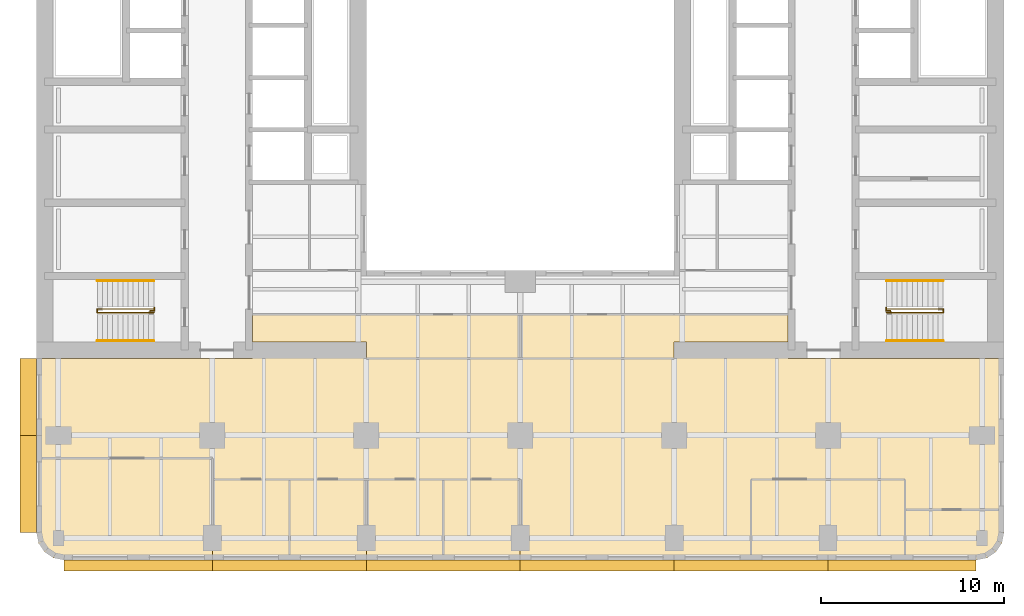
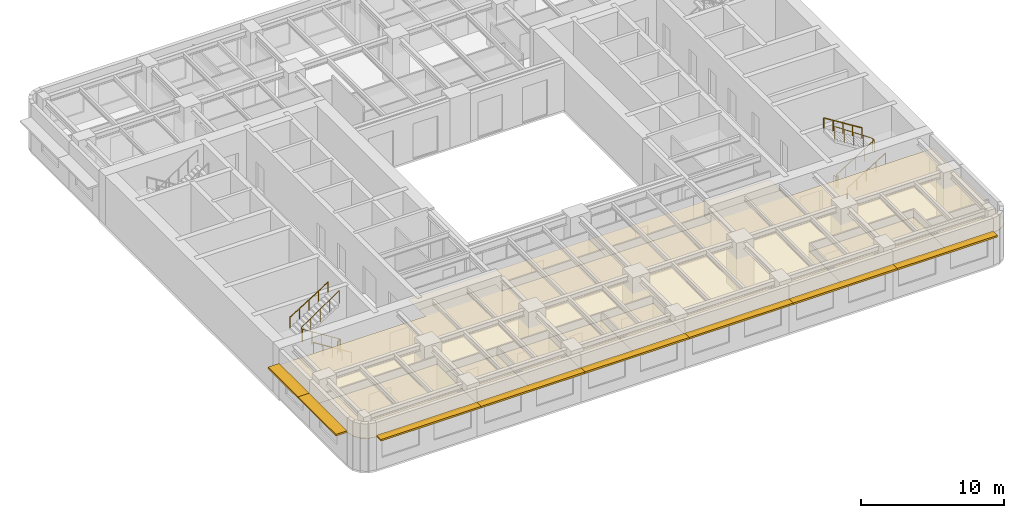
# One storey, part 9 of 11: 10 coverings, 8 railings, 8 shading devices.
"""IFC4 building model written with IfcOpenShell, lengths in metres."""

from ifc_helpers import new_model, si_unit, direction, frame, origin, origin_2d, place, context, subcontext, project, spatial, polyline, rectangle, circle, outline, extrude, material, layer, layer_set, type_object, element, save


model = new_model("IFC4")

# Units and contexts
model_context = context("Model", 3, precision=1e-05, world=origin(), true_north=direction((0.0, 1.0)))
body_context = subcontext(model_context, "Body", "Model", "MODEL_VIEW")
ifc_project = project(units=[si_unit("LENGTHUNIT", "METRE"), si_unit("AREAUNIT", "SQUARE_METRE"), si_unit("VOLUMEUNIT", "CUBIC_METRE"), si_unit("PLANEANGLEUNIT", "RADIAN"), si_unit("MASSUNIT", "GRAM", prefix="KILO")], contexts=[model_context])

# Site, building, storey
site_placement = place(None, origin())
site = spatial("IfcSite", under=ifc_project, at=site_placement, CompositionType="ELEMENT")
building_placement = place(site_placement, origin())
building = spatial("IfcBuilding", under=site, at=building_placement, Name="Claustro Exchange Tower", CompositionType="ELEMENT")
storey_placement = place(building_placement, frame((0.0, 0.0, 117.60009765625)))
storey = spatial("IfcBuildingStorey", under=building, at=storey_placement, Name="L26", CompositionType="ELEMENT", Elevation=117.60009765625)

# Coverings
ifc_material_1 = material(Name="Perforated metal ceiling tiles", Category="steel")
ifc_layer_1 = layer(ifc_material_1, 0.030029296875)
ifc_layer_set_1 = layer_set([ifc_layer_1], Name="Perforated metal ceiling tiles")
covering_type_1 = type_object("IfcCoveringType", Name="CL1 suspended metal ceiling", PredefinedType="CEILING", material=ifc_layer_set_1)
covering_1_placement = place(storey_placement, frame((0.0, 0.0, 2.7998046875)))
element("IfcCovering", 1, at=covering_1_placement, inside=storey, type_object=covering_type_1, Name="Ceiling CL1 L26-08", PredefinedType="CEILING", context=body_context, shape_type="SweptSolid", body=[
    extrude(outline(polyline([(10.60009765625, 12.60009765625), (-1.199951171875, 12.60009765625), (-1.199951171875, 7.14990234375), (8.39990234375, 7.14990234375), (8.39990234375, 6.0), (12.60009765625, 6.0), (16.800048828125, 6.0), (21.0, 6.0), (25.199951171875, 6.0), (25.199951171875, 1.60009765625), (37.800048828125, 1.60009765625), (37.800048828125, 6.0), (46.199951171875, 6.0), (46.199951171875, 4.35009765625), (51.60009765625, 4.35009765625), (51.60009765625, 12.60009765625), (39.800048828125, 12.60009765625), (39.800048828125, 13.5), (33.60009765625, 13.5), (33.60009765625, 12.60009765625), (25.199951171875, 12.60009765625), (16.800048828125, 12.60009765625), (16.800048828125, 13.5), (10.60009765625, 13.5), (10.60009765625, 12.60009765625)])), origin(), (0.0, 0.0, 1.0), 0.030029296875),
])
ifc_material_2 = material(Name="Gypsum board ceiling", Category="gypsum board")
ifc_layer_2 = layer(ifc_material_2, 0.02490234375)
ifc_layer_set_2 = layer_set([ifc_layer_2], Name="Gypsum board ceiling")
covering_type_2 = type_object("IfcCoveringType", Name="CL2 plasterboard ceiling", PredefinedType="CEILING", material=ifc_layer_set_2)
covering_2_placement = place(storey_placement, frame((0.0, 0.0, 2.7998046875)))
element("IfcCovering", 2, at=covering_2_placement, inside=storey, type_object=covering_type_2, Name="Ceiling CL2 L26-01", PredefinedType="CEILING", context=body_context, shape_type="SweptSolid", body=[
    extrude(outline(polyline([(51.60009765625, 3.10009765625), (51.60009765625, 4.35009765625), (46.199951171875, 4.35009765625), (46.199951171875, 1.60009765625), (50.10009765625, 1.60009765625), (50.674072265625, 1.714111328125), (51.16064453125, 2.039306640625), (51.48583984375, 2.52587890625), (51.60009765625, 3.10009765625)])), origin(), (0.0, 0.0, 1.0), 0.025146484375),
])
covering_3_placement = place(storey_placement, frame((0.0, 0.0, 2.7998046875)))
element("IfcCovering", 3, at=covering_3_placement, inside=storey, type_object=covering_type_2, Name="Ceiling CL2 L26-02", PredefinedType="CEILING", context=body_context, shape_type="SweptSolid", body=[
    extrude(outline(polyline([(8.39990234375, 1.60009765625), (12.60009765625, 1.60009765625), (12.60009765625, 6.0), (8.39990234375, 6.0), (8.39990234375, 1.60009765625)])), origin(), (0.0, 0.0, 1.0), 0.025146484375),
])
covering_4_placement = place(storey_placement, frame((0.0, 0.0, 2.7998046875)))
element("IfcCovering", 4, at=covering_4_placement, inside=storey, type_object=covering_type_2, Name="Ceiling CL2 L26-03", PredefinedType="CEILING", context=body_context, shape_type="SweptSolid", body=[
    extrude(outline(polyline([(12.60009765625, 1.60009765625), (16.800048828125, 1.60009765625), (16.800048828125, 6.0), (12.60009765625, 6.0), (12.60009765625, 1.60009765625)])), origin(), (0.0, 0.0, 1.0), 0.025146484375),
])
covering_5_placement = place(storey_placement, frame((0.0, 0.0, 2.7998046875)))
element("IfcCovering", 5, at=covering_5_placement, inside=storey, type_object=covering_type_2, Name="Ceiling CL2 L26-04", PredefinedType="CEILING", context=body_context, shape_type="SweptSolid", body=[
    extrude(outline(polyline([(16.800048828125, 1.60009765625), (21.0, 1.60009765625), (21.0, 6.0), (16.800048828125, 6.0), (16.800048828125, 1.60009765625)])), origin(), (0.0, 0.0, 1.0), 0.025146484375),
])
covering_6_placement = place(storey_placement, frame((0.0, 0.0, 2.7998046875)))
element("IfcCovering", 6, at=covering_6_placement, inside=storey, type_object=covering_type_2, Name="Ceiling CL2 L26-05", PredefinedType="CEILING", context=body_context, shape_type="SweptSolid", body=[
    extrude(outline(polyline([(21.0, 1.60009765625), (25.199951171875, 1.60009765625), (25.199951171875, 6.0), (21.0, 6.0), (21.0, 1.60009765625)])), origin(), (0.0, 0.0, 1.0), 0.025146484375),
])
covering_7_placement = place(storey_placement, frame((0.0, 0.0, 2.7998046875)))
element("IfcCovering", 7, at=covering_7_placement, inside=storey, type_object=covering_type_2, Name="Ceiling CL2 L26-06", PredefinedType="CEILING", context=body_context, shape_type="SweptSolid", body=[
    extrude(outline(polyline([(37.800048828125, 1.60009765625), (46.199951171875, 1.60009765625), (46.199951171875, 6.0), (37.800048828125, 6.0), (37.800048828125, 1.60009765625)])), origin(), (0.0, 0.0, 1.0), 0.025146484375),
])
covering_8_placement = place(storey_placement, frame((0.0, 0.0, 2.7998046875)))
element("IfcCovering", 8, at=covering_8_placement, inside=storey, type_object=covering_type_2, Name="Ceiling CL2 L26-07", PredefinedType="CEILING", context=body_context, shape_type="SweptSolid", body=[
    extrude(outline(polyline([(-1.085693359375, 2.52587890625), (-0.7607421875, 2.039306640625), (-0.27392578125, 1.714111328125), (0.300048828125, 1.60009765625), (8.39990234375, 1.60009765625), (8.39990234375, 7.14990234375), (-1.199951171875, 7.14990234375), (-1.199951171875, 3.10009765625), (-1.085693359375, 2.52587890625)])), origin(), (0.0, 0.0, 1.0), 0.025146484375),
])
covering_9_placement = place(storey_placement, frame((0.0, 0.0, 2.7998046875)))
element("IfcCovering", 9, at=covering_9_placement, inside=storey, type_object=covering_type_2, Name="Ceiling CL2 L26-09", PredefinedType="CEILING", context=body_context, shape_type="SweptSolid", body=[
    extrude(outline(polyline([(10.60009765625, 15.0), (10.60009765625, 13.5), (16.800048828125, 13.5), (16.800048828125, 12.60009765625), (25.199951171875, 12.60009765625), (25.199951171875, 15.0), (16.800048828125, 15.0), (16.800048828125, 15.0), (10.60009765625, 15.0)])), origin(), (0.0, 0.0, 1.0), 0.025146484375),
])
covering_10_placement = place(storey_placement, frame((0.0, 0.0, 2.7998046875)))
element("IfcCovering", 10, at=covering_10_placement, inside=storey, type_object=covering_type_2, Name="Ceiling CL2 L26-10", PredefinedType="CEILING", context=body_context, shape_type="SweptSolid", body=[
    extrude(outline(polyline([(39.800048828125, 13.5), (39.800048828125, 15.0), (33.60009765625, 15.0), (33.60009765625, 15.0), (25.199951171875, 15.0), (25.199951171875, 12.60009765625), (33.60009765625, 12.60009765625), (33.60009765625, 13.5), (39.800048828125, 13.5)])), origin(), (0.0, 0.0, 1.0), 0.025146484375),
])

# Railings
ifc_material_3 = material(Name="Steel balustrade, painted", Category="steel")
railing_type_1 = type_object("IfcRailingType", Name="GR2 1100 steel stair guard", PredefinedType="GUARDRAIL", material=ifc_material_3)
railing_1_placement = place(storey_placement, frame((5.199951171875, 15.10009765625, 0.1748046875)))
element("IfcRailing", 11, at=railing_1_placement, inside=storey, type_object=railing_type_1, Name="Stair well guard GR2 stair STWA L26", PredefinedType="GUARDRAIL", context=body_context, shape_type="SweptSolid", body=[
    extrude(circle(Radius=0.02392578125, at=origin_2d()), frame((0.0, 0.0, 1.076171875), z_axis=(-0.847979421464, 0.0, 0.530029150871), x_axis=(0.0, -1.0, 0.0)), (0.0, 0.0, 1.0), 3.632080078125),
    extrude(circle(Radius=0.02392578125, at=origin_2d()), frame((-3.079833984375, 0.0, 3.0009765625), z_axis=(0.0, 1.0, 0.0), x_axis=(-1.0, 0.0, 0.0)), (0.0, 0.0, 1.0), 0.199951171875),
    extrude(circle(Radius=0.02392578125, at=origin_2d()), frame((-3.079833984375, 0.199951171875, 3.0009765625), z_axis=(0.826201015165, 0.0, 0.563375436579), x_axis=(0.0, 1.0, 0.0)), (0.0, 0.0, 1.0), 3.727783203125),
    extrude(circle(Radius=0.02099609375, at=origin_2d()), origin(), (0.0, 0.0, 1.0), 1.052001953125),
    extrude(circle(Radius=0.02099609375, at=origin_2d()), frame((-0.77001953125, 0.0, 0.481201171875)), (0.0, 0.0, 1.0), 1.052001953125),
    extrude(circle(Radius=0.02099609375, at=origin_2d()), frame((-1.5400390625, 0.0, 0.96240234375)), (0.0, 0.0, 1.0), 1.052001953125),
    extrude(circle(Radius=0.02099609375, at=origin_2d()), frame((-2.309814453125, 0.0, 1.44384765625)), (0.0, 0.0, 1.0), 1.052001953125),
    extrude(circle(Radius=0.02099609375, at=origin_2d()), frame((-3.079833984375, 0.0, 1.925048828125)), (0.0, 0.0, 1.0), 1.052001953125),
    extrude(circle(Radius=0.02099609375, at=origin_2d()), frame((-3.079833984375, 0.199951171875, 1.925048828125)), (0.0, 0.0, 1.0), 1.052001953125),
    extrude(circle(Radius=0.02099609375, at=origin_2d()), frame((-2.309814453125, 0.199951171875, 2.4501953125)), (0.0, 0.0, 1.0), 1.052001953125),
    extrude(circle(Radius=0.02099609375, at=origin_2d()), frame((-1.5400390625, 0.199951171875, 2.97509765625)), (0.0, 0.0, 1.0), 1.052001953125),
    extrude(circle(Radius=0.02099609375, at=origin_2d()), frame((-0.77001953125, 0.199951171875, 3.5)), (0.0, 0.0, 1.0), 1.052001953125),
    extrude(circle(Radius=0.02099609375, at=origin_2d()), frame((0.0, 0.199951171875, 4.025146484375)), (0.0, 0.0, 1.0), 1.052001953125),
])
railing_2_placement = place(storey_placement, frame((5.0, 15.169921875, 0.0)))
element("IfcRailing", 12, at=railing_2_placement, inside=storey, type_object=railing_type_1, Name="Stair guard GR2 STWA L26", PredefinedType="GUARDRAIL", context=body_context, shape_type="SweptSolid", body=[
    extrude(circle(Radius=0.02392578125, at=origin_2d()), frame((0.0, 0.0, 1.076171875), z_axis=(0.0, 1.0, 0.0), x_axis=(-1.0, 0.0, 0.0)), (0.0, 0.0, 1.0), 0.030029296875),
    extrude(circle(Radius=0.02392578125, at=origin_2d()), frame((0.0, 0.030029296875, 1.076171875), z_axis=(1.0, 0.0, 0.0), x_axis=(0.0, 1.0, 0.0)), (0.0, 0.0, 1.0), 0.22509765625),
    extrude(circle(Radius=0.02392578125, at=origin_2d()), frame((0.22509765625, 0.030029296875, 1.076171875), z_axis=(0.0, 1.0, 0.0), x_axis=(-1.0, 0.0, 0.0)), (0.0, 0.0, 1.0), 0.179931640625),
    extrude(circle(Radius=0.02099609375, at=origin_2d()), origin(), (0.0, 0.0, 1.0), 1.052001953125),
    extrude(circle(Radius=0.02099609375, at=origin_2d()), frame((0.0, 0.030029296875, 0.0)), (0.0, 0.0, 1.0), 1.052001953125),
    extrude(circle(Radius=0.02099609375, at=origin_2d()), frame((0.22509765625, 0.030029296875, 0.0)), (0.0, 0.0, 1.0), 1.052001953125),
    extrude(circle(Radius=0.02099609375, at=origin_2d()), frame((0.22509765625, 0.2099609375, 0.0)), (0.0, 0.0, 1.0), 1.052001953125),
])
railing_3_placement = place(storey_placement, frame((45.199951171875, 15.10009765625, 0.1748046875)))
element("IfcRailing", 13, at=railing_3_placement, inside=storey, type_object=railing_type_1, Name="Stair well guard GR2 stair STEA L26", PredefinedType="GUARDRAIL", context=body_context, shape_type="SweptSolid", body=[
    extrude(circle(Radius=0.02392578125, at=origin_2d()), frame((0.0, 0.0, 1.076171875), z_axis=(0.847998304005, 0.0, 0.529998940003), x_axis=(0.0, 1.0, 0.0)), (0.0, 0.0, 1.0), 3.632080078125),
    extrude(circle(Radius=0.02392578125, at=origin_2d()), frame((3.080078125, 0.0, 3.0009765625), z_axis=(0.0, 1.0, 0.0), x_axis=(-1.0, 0.0, 0.0)), (0.0, 0.0, 1.0), 0.199951171875),
    extrude(circle(Radius=0.02392578125, at=origin_2d()), frame((3.080078125, 0.199951171875, 3.0009765625), z_axis=(-0.826221800596, 0.0, 0.563344953133), x_axis=(0.0, -1.0, 0.0)), (0.0, 0.0, 1.0), 3.72802734375),
    extrude(circle(Radius=0.02099609375, at=origin_2d()), origin(), (0.0, 0.0, 1.0), 1.052001953125),
    extrude(circle(Radius=0.02099609375, at=origin_2d()), frame((0.77001953125, 0.0, 0.481201171875)), (0.0, 0.0, 1.0), 1.052001953125),
    extrude(circle(Radius=0.02099609375, at=origin_2d()), frame((1.5400390625, 0.0, 0.96240234375)), (0.0, 0.0, 1.0), 1.052001953125),
    extrude(circle(Radius=0.02099609375, at=origin_2d()), frame((2.31005859375, 0.0, 1.44384765625)), (0.0, 0.0, 1.0), 1.052001953125),
    extrude(circle(Radius=0.02099609375, at=origin_2d()), frame((3.080078125, 0.0, 1.925048828125)), (0.0, 0.0, 1.0), 1.052001953125),
    extrude(circle(Radius=0.02099609375, at=origin_2d()), frame((3.080078125, 0.199951171875, 1.925048828125)), (0.0, 0.0, 1.0), 1.052001953125),
    extrude(circle(Radius=0.02099609375, at=origin_2d()), frame((2.31005859375, 0.199951171875, 2.4501953125)), (0.0, 0.0, 1.0), 1.052001953125),
    extrude(circle(Radius=0.02099609375, at=origin_2d()), frame((1.5400390625, 0.199951171875, 2.97509765625)), (0.0, 0.0, 1.0), 1.052001953125),
    extrude(circle(Radius=0.02099609375, at=origin_2d()), frame((0.77001953125, 0.199951171875, 3.5)), (0.0, 0.0, 1.0), 1.052001953125),
    extrude(circle(Radius=0.02099609375, at=origin_2d()), frame((0.0, 0.199951171875, 4.025146484375)), (0.0, 0.0, 1.0), 1.052001953125),
])
railing_4_placement = place(storey_placement, frame((45.39990234375, 15.169921875, 0.0)))
element("IfcRailing", 14, at=railing_4_placement, inside=storey, type_object=railing_type_1, Name="Stair guard GR2 STEA L26", PredefinedType="GUARDRAIL", context=body_context, shape_type="SweptSolid", body=[
    extrude(circle(Radius=0.02392578125, at=origin_2d()), frame((0.0, 0.0, 1.076171875), z_axis=(0.0, 1.0, 0.0), x_axis=(-1.0, 0.0, 0.0)), (0.0, 0.0, 1.0), 0.030029296875),
    extrude(circle(Radius=0.02392578125, at=origin_2d()), frame((0.0, 0.030029296875, 1.076171875), z_axis=(-1.0, 0.0, 0.0), x_axis=(0.0, -1.0, 0.0)), (0.0, 0.0, 1.0), 0.224853515625),
    extrude(circle(Radius=0.02392578125, at=origin_2d()), frame((-0.224853515625, 0.030029296875, 1.076171875), z_axis=(0.0, 1.0, 0.0), x_axis=(-1.0, 0.0, 0.0)), (0.0, 0.0, 1.0), 0.179931640625),
    extrude(circle(Radius=0.02099609375, at=origin_2d()), origin(), (0.0, 0.0, 1.0), 1.052001953125),
    extrude(circle(Radius=0.02099609375, at=origin_2d()), frame((0.0, 0.030029296875, 0.0)), (0.0, 0.0, 1.0), 1.052001953125),
    extrude(circle(Radius=0.02099609375, at=origin_2d()), frame((-0.224853515625, 0.030029296875, 0.0)), (0.0, 0.0, 1.0), 1.052001953125),
    extrude(circle(Radius=0.02099609375, at=origin_2d()), frame((-0.224853515625, 0.2099609375, 0.0)), (0.0, 0.0, 1.0), 1.052001953125),
])
ifc_material_4 = material(Name="Stainless steel tube", Category="steel")
railing_type_2 = type_object("IfcRailingType", Name="HR1 900 stair handrail", PredefinedType="HANDRAIL", material=ifc_material_4)
railing_5_placement = place(storey_placement, frame((5.199951171875, 13.56005859375, 0.1748046875)))
element("IfcRailing", 15, at=railing_5_placement, inside=storey, type_object=railing_type_2, Name="Handrail HR1 stair STWA L26", PredefinedType="HANDRAIL", context=body_context, shape_type="SweptSolid", body=[
    extrude(circle(Radius=0.02392578125, at=origin_2d()), frame((0.0, 0.0, 0.8759765625), z_axis=(-0.847979421464, 0.0, 0.530029150871), x_axis=(0.0, -1.0, 0.0)), (0.0, 0.0, 1.0), 3.632080078125),
    extrude(circle(Radius=0.02099609375, at=origin_2d()), origin(), (0.0, 0.0, 1.0), 0.851806640625),
    extrude(circle(Radius=0.02099609375, at=origin_2d()), frame((-0.77001953125, 0.0, 0.481201171875)), (0.0, 0.0, 1.0), 0.851806640625),
    extrude(circle(Radius=0.02099609375, at=origin_2d()), frame((-1.5400390625, 0.0, 0.96240234375)), (0.0, 0.0, 1.0), 0.851806640625),
    extrude(circle(Radius=0.02099609375, at=origin_2d()), frame((-2.309814453125, 0.0, 1.44384765625)), (0.0, 0.0, 1.0), 0.851806640625),
    extrude(circle(Radius=0.02099609375, at=origin_2d()), frame((-3.079833984375, 0.0, 1.925048828125)), (0.0, 0.0, 1.0), 0.851806640625),
])
railing_6_placement = place(storey_placement, frame((2.1201171875, 16.840087890625, 2.27490234375)))
element("IfcRailing", 16, at=railing_6_placement, inside=storey, type_object=railing_type_2, Name="Handrail HR1 stair STWA L26", PredefinedType="HANDRAIL", context=body_context, shape_type="SweptSolid", body=[
    extrude(circle(Radius=0.02392578125, at=origin_2d()), frame((0.0, 0.0, 0.8759765625), z_axis=(0.847979421464, 0.0, 0.530029150871), x_axis=(0.0, 1.0, 0.0)), (0.0, 0.0, 1.0), 3.632080078125),
    extrude(circle(Radius=0.02099609375, at=origin_2d()), origin(), (0.0, 0.0, 1.0), 0.851806640625),
    extrude(circle(Radius=0.02099609375, at=origin_2d()), frame((0.77001953125, 0.0, 0.481201171875)), (0.0, 0.0, 1.0), 0.851806640625),
    extrude(circle(Radius=0.02099609375, at=origin_2d()), frame((1.5400390625, 0.0, 0.96240234375)), (0.0, 0.0, 1.0), 0.851806640625),
    extrude(circle(Radius=0.02099609375, at=origin_2d()), frame((2.309814453125, 0.0, 1.44384765625)), (0.0, 0.0, 1.0), 0.851806640625),
    extrude(circle(Radius=0.02099609375, at=origin_2d()), frame((3.079833984375, 0.0, 1.925048828125)), (0.0, 0.0, 1.0), 0.851806640625),
])
railing_7_placement = place(storey_placement, frame((45.199951171875, 13.56005859375, 0.1748046875)))
element("IfcRailing", 17, at=railing_7_placement, inside=storey, type_object=railing_type_2, Name="Handrail HR1 stair STEA L26", PredefinedType="HANDRAIL", context=body_context, shape_type="SweptSolid", body=[
    extrude(circle(Radius=0.02392578125, at=origin_2d()), frame((0.0, 0.0, 0.8759765625), z_axis=(0.847998304005, 0.0, 0.529998940003), x_axis=(0.0, 1.0, 0.0)), (0.0, 0.0, 1.0), 3.632080078125),
    extrude(circle(Radius=0.02099609375, at=origin_2d()), origin(), (0.0, 0.0, 1.0), 0.851806640625),
    extrude(circle(Radius=0.02099609375, at=origin_2d()), frame((0.77001953125, 0.0, 0.481201171875)), (0.0, 0.0, 1.0), 0.851806640625),
    extrude(circle(Radius=0.02099609375, at=origin_2d()), frame((1.5400390625, 0.0, 0.96240234375)), (0.0, 0.0, 1.0), 0.851806640625),
    extrude(circle(Radius=0.02099609375, at=origin_2d()), frame((2.31005859375, 0.0, 1.44384765625)), (0.0, 0.0, 1.0), 0.851806640625),
    extrude(circle(Radius=0.02099609375, at=origin_2d()), frame((3.080078125, 0.0, 1.925048828125)), (0.0, 0.0, 1.0), 0.851806640625),
])
railing_8_placement = place(storey_placement, frame((48.280029296875, 16.840087890625, 2.27490234375)))
element("IfcRailing", 18, at=railing_8_placement, inside=storey, type_object=railing_type_2, Name="Handrail HR1 stair STEA L26", PredefinedType="HANDRAIL", context=body_context, shape_type="SweptSolid", body=[
    extrude(circle(Radius=0.02392578125, at=origin_2d()), frame((0.0, 0.0, 0.8759765625), z_axis=(-0.847998304005, 0.0, 0.529998940003), x_axis=(0.0, -1.0, 0.0)), (0.0, 0.0, 1.0), 3.632080078125),
    extrude(circle(Radius=0.02099609375, at=origin_2d()), origin(), (0.0, 0.0, 1.0), 0.851806640625),
    extrude(circle(Radius=0.02099609375, at=origin_2d()), frame((-0.77001953125, 0.0, 0.481201171875)), (0.0, 0.0, 1.0), 0.851806640625),
    extrude(circle(Radius=0.02099609375, at=origin_2d()), frame((-1.5400390625, 0.0, 0.96240234375)), (0.0, 0.0, 1.0), 0.851806640625),
    extrude(circle(Radius=0.02099609375, at=origin_2d()), frame((-2.31005859375, 0.0, 1.44384765625)), (0.0, 0.0, 1.0), 0.851806640625),
    extrude(circle(Radius=0.02099609375, at=origin_2d()), frame((-3.080078125, 0.0, 1.925048828125)), (0.0, 0.0, 1.0), 0.851806640625),
])

# Shading devices
ifc_material_5 = material(Name="Concrete HA-40 (C40/50), precast, white cement, acid-etched", Category="concrete")
ifc_layer_3 = layer(ifc_material_5, 0.14990234375)
ifc_layer_set_3 = layer_set([ifc_layer_3], Name="Concrete HA-40 (C40/50), precast, white cement, acid-etched")
shading_device_type_1 = type_object("IfcShadingDeviceType", Name="SS1 600 precast concrete SUNSHADE", PredefinedType="SHUTTER", material=ifc_layer_set_3)
shading_device_1_placement = place(storey_placement, frame((46.04248046875, 1.300048828125, 2.800048828125), z_axis=(0.0, 0.0, 1.0), x_axis=(-1.0, 0.0, 0.0)))
element("IfcShadingDevice", 19, at=shading_device_1_placement, inside=storey, type_object=shading_device_type_1, Name="Precast SUNSHADE SS1 L26", PredefinedType="SHUTTER", context=body_context, shape_type="SweptSolid", body=[
    extrude(rectangle(XDim=8.085205078125, YDim=0.60009765625, at=origin_2d()), origin(), (0.0, 0.0, 1.0), 0.14990234375),
])
for number, where, z_axis, x_axis, name in (
    (20, (37.800048828125, 1.300048828125, 2.800048828125), (0.0, 0.0, 1.0), (-1.0, 0.0, 0.0), "Precast SUNSHADE SS1 L26"),
    (21, (29.39990234375, 1.300048828125, 2.800048828125), (0.0, 0.0, 1.0), (-1.0, 0.0, 0.0), "Precast SUNSHADE SS1 L26"),
    (22, (21.0, 1.300048828125, 2.800048828125), (0.0, 0.0, 1.0), (-1.0, 0.0, 0.0), "Precast SUNSHADE SS1 L26"),
    (23, (12.60009765625, 1.300048828125, 2.800048828125), (0.0, 0.0, 1.0), (-1.0, 0.0, 0.0), "Precast SUNSHADE SS1 L26"),
):
    element("IfcShadingDevice", number, at=place(storey_placement, frame(where, z_axis=z_axis, x_axis=x_axis)), inside=storey, type_object=shading_device_type_1, Name=name, PredefinedType="SHUTTER", context=body_context, shape_type="SweptSolid", body=[
        extrude(rectangle(XDim=8.39990234375, YDim=0.60009765625, at=origin_2d()), origin(), (0.0, 0.0, 1.0), 0.14990234375),
    ])
shading_device_2_placement = place(storey_placement, frame((4.357421875, 1.300048828125, 2.800048828125), z_axis=(0.0, 0.0, 1.0), x_axis=(-1.0, 0.0, 0.0)))
element("IfcShadingDevice", 24, at=shading_device_2_placement, inside=storey, type_object=shading_device_type_1, Name="Precast SUNSHADE SS1 L26", PredefinedType="SHUTTER", context=body_context, shape_type="SweptSolid", body=[
    extrude(rectangle(XDim=8.085205078125, YDim=0.60009765625, at=origin_2d()), origin(), (0.0, 0.0, 1.0), 0.14990234375),
])
ifc_material_6 = material(Name="Concrete HA-40 (C40/50), precast, white cement, acid-etched", Category="concrete")
ifc_layer_4 = layer(ifc_material_6, 0.14990234375)
ifc_layer_set_4 = layer_set([ifc_layer_4], Name="Concrete HA-40 (C40/50), precast, white cement, acid-etched")
shading_device_type_2 = type_object("IfcShadingDeviceType", Name="SS2 900 precast concrete SUNSHADE", PredefinedType="SHUTTER", material=ifc_layer_set_4)
shading_device_3_placement = place(storey_placement, frame((-1.64990234375, 5.75732421875, 2.800048828125), z_axis=(0.0, 0.0, 1.0), x_axis=(0.0, 1.0, 0.0)))
element("IfcShadingDevice", 25, at=shading_device_3_placement, inside=storey, type_object=shading_device_type_2, Name="Precast SUNSHADE SS2 L26", PredefinedType="SHUTTER", context=body_context, shape_type="SweptSolid", body=[
    extrude(rectangle(XDim=5.28515625, YDim=0.89990234375, at=origin_2d()), origin(), (0.0, 0.0, 1.0), 0.14990234375),
])
shading_device_4_placement = place(storey_placement, frame((-1.64990234375, 10.5, 2.800048828125), z_axis=(0.0, 0.0, 1.0), x_axis=(0.0, 1.0, 0.0)))
element("IfcShadingDevice", 26, at=shading_device_4_placement, inside=storey, type_object=shading_device_type_2, Name="Precast SUNSHADE SS2 L26", PredefinedType="SHUTTER", context=body_context, shape_type="SweptSolid", body=[
    extrude(rectangle(XDim=4.199951171875, YDim=0.89990234375, at=origin_2d()), origin(), (0.0, 0.0, 1.0), 0.14990234375),
])

save(model, "model.ifc")
